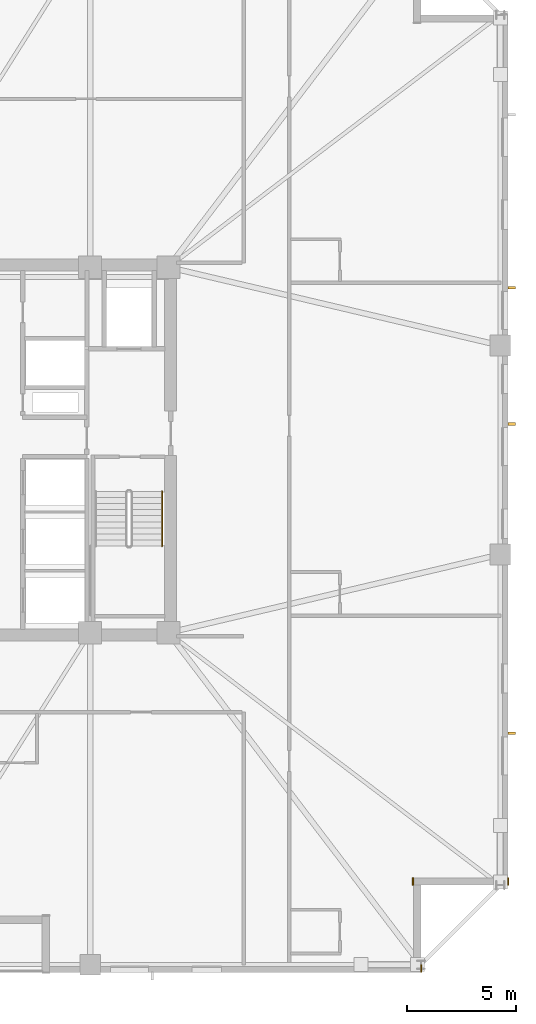
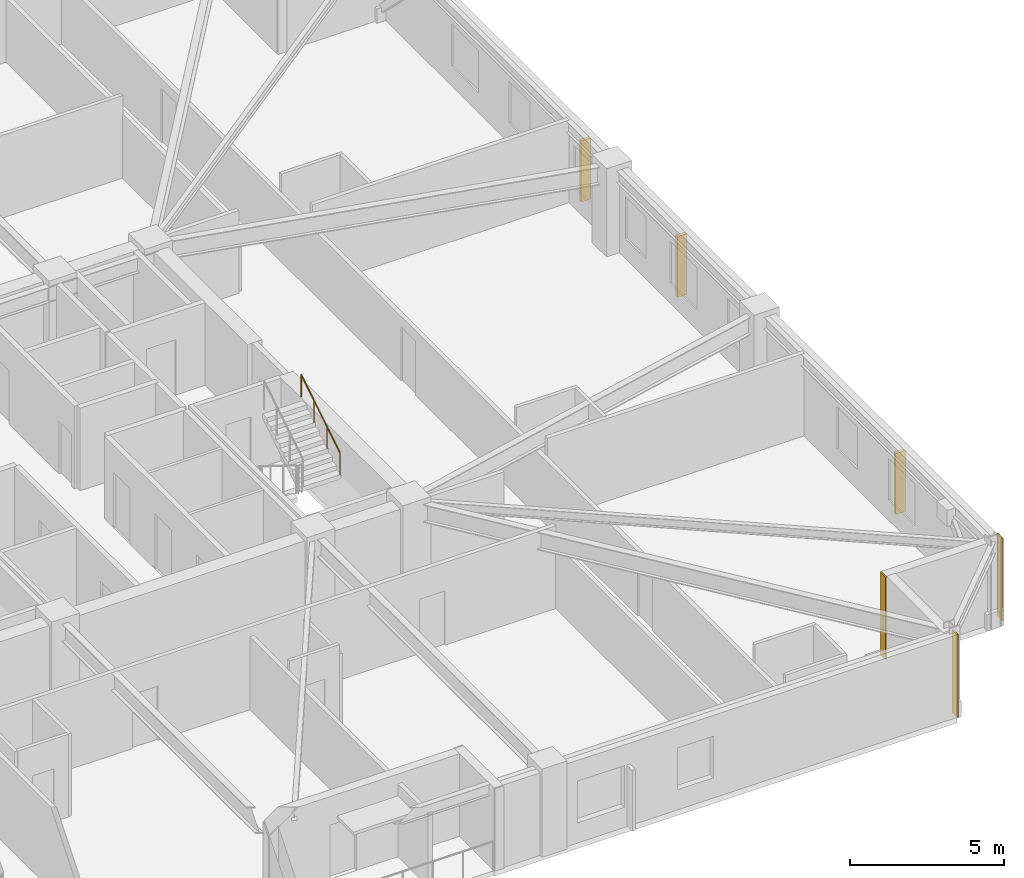
# One storey, part 9 of 11: 3 coverings, 3 shading devices, 1 railing.
"""IFC4 building model written with IfcOpenShell, lengths in metres."""

from ifc_helpers import new_model, si_unit, direction, frame, frame_2d, origin, origin_2d, place, context, subcontext, project, spatial, rectangle, circle, extrude, material, layer, layer_set, type_object, element, save


model = new_model("IFC4")

# Units and contexts
model_context = context("Model", 3, precision=1e-05, world=origin(), true_north=direction((0.0, 1.0)))
body_context = subcontext(model_context, "Body", "Model", "MODEL_VIEW")
ifc_project = project(units=[si_unit("LENGTHUNIT", "METRE"), si_unit("AREAUNIT", "SQUARE_METRE"), si_unit("VOLUMEUNIT", "CUBIC_METRE"), si_unit("PLANEANGLEUNIT", "RADIAN"), si_unit("MASSUNIT", "GRAM", prefix="KILO")], contexts=[model_context])

# Site, building, storey
site_placement = place(None, origin())
site = spatial("IfcSite", under=ifc_project, at=site_placement, CompositionType="ELEMENT")
building_placement = place(site_placement, origin())
building = spatial("IfcBuilding", under=site, at=building_placement, Name="Cairnveth Concourse Tower", CompositionType="ELEMENT")
storey_placement = place(building_placement, frame((0.0, 0.0, 151.5)))
storey = spatial("IfcBuildingStorey", under=building, at=storey_placement, Name="L41", CompositionType="ELEMENT", Elevation=151.5)

# Coverings
ifc_material_1 = material(Name="Dressed Melbourne Bluestone Cladding", Category="masonry")
ifc_layer = layer(ifc_material_1, 0.050048828125)
ifc_layer_set = layer_set([ifc_layer], Name="Dressed Melbourne Bluestone Cladding")
covering_type = type_object("IfcCoveringType", Name="DRESSED BLUESTONE PLINTH CLADDING 50", PredefinedType="CLADDING", material=ifc_layer_set)
for number, where, z_axis, x_axis, name in (
    (1, (76.02001953125, 19.340087890625, 0.0), (0.0, 0.0, 1.0), (0.0, -1.0, 0.0), "Melbourne Bluestone Corner Quoin L41-605"),
    (2, (71.639892578125, 19.340087890625, 0.0), (0.0, 0.0, 1.0), (0.0, -1.0, 0.0), "Melbourne Bluestone Corner Quoin L41-606"),
    (3, (72.02001953125, 15.340087890625, 0.0), (0.0, 0.0, 1.0), (0.0, -1.0, 0.0), "Melbourne Bluestone Corner Quoin L41-607"),
):
    element("IfcCovering", number, at=place(storey_placement, frame(where, z_axis=z_axis, x_axis=x_axis)), inside=storey, type_object=covering_type, Name=name, PredefinedType="CLADDING", context=body_context, shape_type="SweptSolid", body=[
        extrude(rectangle(XDim=0.340087890625, YDim=0.050048828125, at=frame_2d((0.169921875, 0.0))), origin(), (0.0, 0.0, 1.0), 3.280029296875),
    ])

# Shading devices
ifc_material_2 = material(Name="Architectural Bronze Anodised Aluminium 6063-T6", Category="aluminium")
shading_device_type = type_object("IfcShadingDeviceType", Name="GOTHIC BRONZE VERTICAL LANCET FIN", PredefinedType="USERDEFINED", material=ifc_material_2)
for number, where, z_axis, x_axis, name in (
    (4, (76.175048828125, 46.451171875, 0.030029296875), (0.0, 0.0, 1.0), (0.0, 1.0, 0.0), "Gothic Bronze Vertical Fin L41-9-3"),
    (5, (76.175048828125, 40.194091796875, 0.030029296875), (0.0, 0.0, 1.0), (0.0, 1.0, 0.0), "Gothic Bronze Vertical Fin L41-9-5"),
    (6, (76.175048828125, 25.979736328125, 0.030029296875), (0.0, 0.0, 1.0), (0.0, 1.0, 0.0), "Gothic Bronze Vertical Fin L41-9-9"),
):
    element("IfcShadingDevice", number, at=place(storey_placement, frame(where, z_axis=z_axis, x_axis=x_axis)), inside=storey, type_object=shading_device_type, Name=name, ObjectType="VERTICAL FIN", PredefinedType="USERDEFINED", context=body_context, shape_type="SweptSolid", body=[
        extrude(rectangle(XDim=0.1201171875, YDim=0.360107421875, at=origin_2d()), origin(), (0.0, 0.0, 1.0), 2.419921875),
    ])

# Railing
ifc_material_3 = material(Name="Steel Grade 350", Category="steel")
railing_type = type_object("IfcRailingType", Name="STAIR WALL HANDRAIL 900", PredefinedType="HANDRAIL", material=ifc_material_3)
railing_placement = place(storey_placement, frame((60.110107421875, 34.580078125, 1.925048828125)))
element("IfcRailing", 7, at=railing_placement, inside=storey, type_object=railing_type, Name="L41 ST-2 stair handrail 2", PredefinedType="HANDRAIL", context=body_context, shape_type="SweptSolid", body=[
    extrude(circle(Radius=0.02392578125, at=origin_2d()), frame((0.0, 0.0, 0.8759765625), z_axis=(0.0, 0.848007534815, 0.529984170421), x_axis=(-1.0, 0.0, 0.0)), (0.0, 0.0, 1.0), 2.9716796875),
    extrude(circle(Radius=0.02099609375, at=origin_2d()), origin(), (0.0, 0.0, 1.0), 0.851806640625),
    extrude(circle(Radius=0.02099609375, at=origin_2d()), frame((0.0, 0.840087890625, 0.52490234375)), (0.0, 0.0, 1.0), 0.851806640625),
    extrude(circle(Radius=0.02099609375, at=origin_2d()), frame((0.0, 1.679931640625, 1.050048828125)), (0.0, 0.0, 1.0), 0.851806640625),
    extrude(circle(Radius=0.02099609375, at=origin_2d()), frame((0.0, 2.52001953125, 1.574951171875)), (0.0, 0.0, 1.0), 0.851806640625),
])

save(model, "model.ifc")
